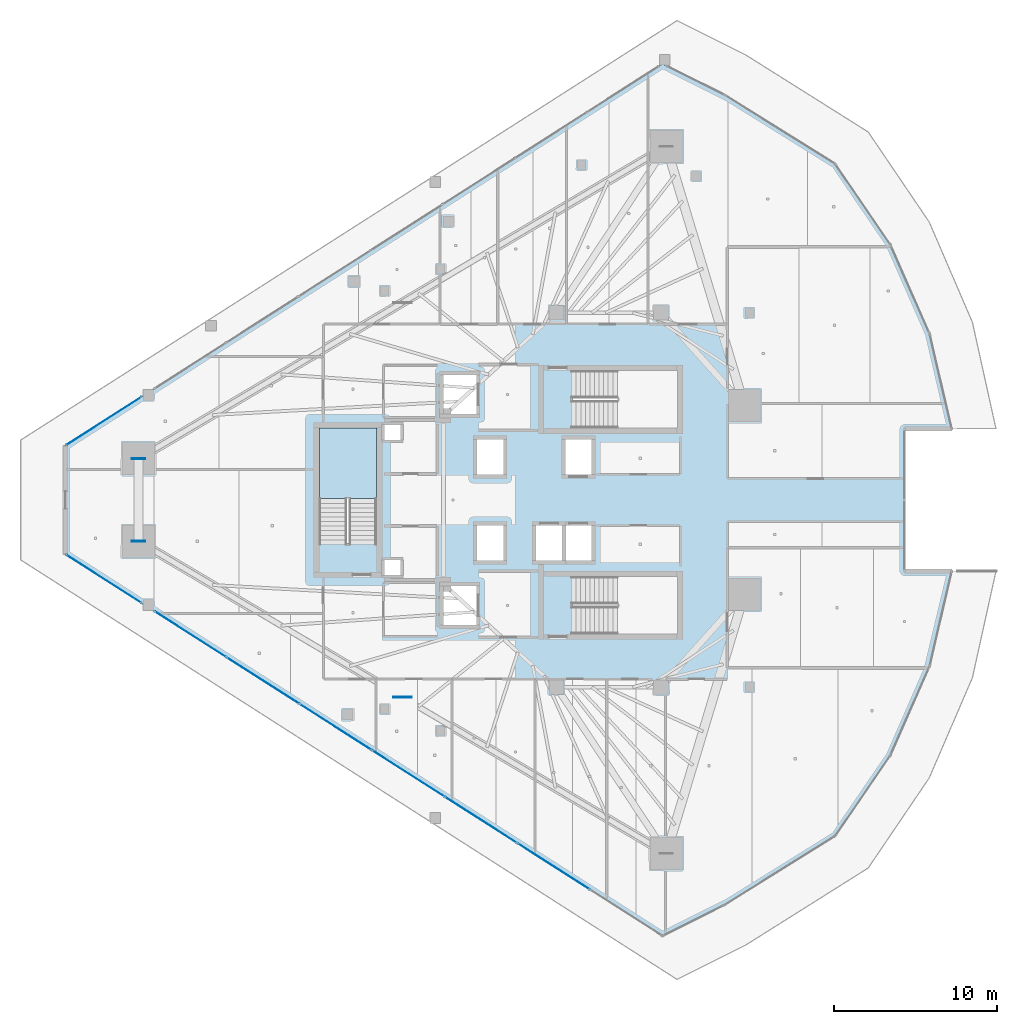
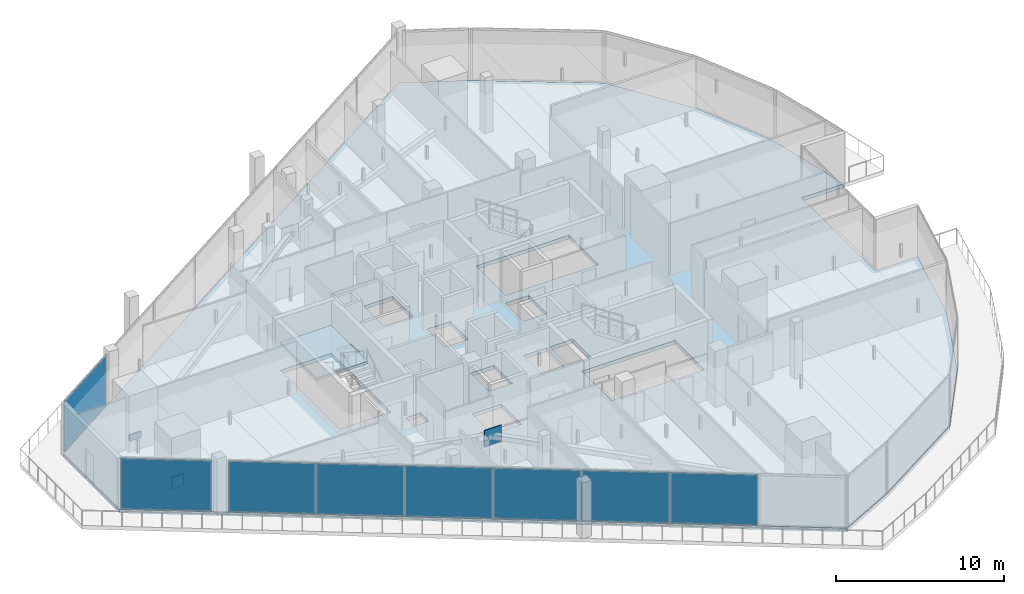
# One storey, part 28 of 43: 11 plates, 2 slabs, 4 elements without a shape of their own.
"""IFC4 building model written with IfcOpenShell, lengths in metres."""

from ifc_helpers import new_model, si_unit, direction, frame, origin, origin_2d, place, context, subcontext, project, spatial, polyline, rectangle, outline, extrude, material, layer, layer_set, type_object, element, aggregate, save


model = new_model("IFC4")

# Units and contexts
model_context = context("Model", 3, precision=1e-05, world=origin(), true_north=direction((0.0, 1.0)))
body_context = subcontext(model_context, "Body", "Model", "MODEL_VIEW")
ifc_project = project(units=[si_unit("LENGTHUNIT", "METRE"), si_unit("AREAUNIT", "SQUARE_METRE"), si_unit("VOLUMEUNIT", "CUBIC_METRE"), si_unit("PLANEANGLEUNIT", "RADIAN"), si_unit("MASSUNIT", "GRAM", prefix="KILO")], contexts=[model_context])

# Site, building, storey
site_placement = place(None, origin())
site = spatial("IfcSite", under=ifc_project, at=site_placement, CompositionType="ELEMENT")
building_placement = place(site_placement, origin())
building = spatial("IfcBuilding", under=site, at=building_placement, Name="Qorvath Tower", CompositionType="ELEMENT")
storey_placement = place(building_placement, frame((0.0, 0.0, 213.14990234375)))
storey = spatial("IfcBuildingStorey", under=building, at=storey_placement, Name="L49", CompositionType="ELEMENT", Elevation=213.14990234375)

# Curtain wall, plate
ifc_material_1 = material(Name="Anodised aluminium and triple low-E glass", Category="aluminium")
ifc_layer_1 = layer(ifc_material_1, 0.179931640625)
ifc_layer_set_1 = layer_set([ifc_layer_1], Name="CW-SYS-3")
curtain_wall_type = type_object("IfcCurtainWallType", Name="CW-SYS-3", PredefinedType="NOTDEFINED", material=ifc_layer_set_1)
curtain_wall_1_placement = place(storey_placement, origin())
curtain_wall_1 = element("IfcCurtainWall", 1, at=curtain_wall_1_placement, inside=storey, type_object=curtain_wall_type, Name="Curtain Wall CW-3 CW-T-L49-2.1", PredefinedType="NOTDEFINED")
ifc_material_2 = material(Name="Low-E triple insulated glass", Category="glass")
ifc_layer_2 = layer(ifc_material_2, 0.031982421875)
ifc_layer_set_2 = layer_set([ifc_layer_2], Name="CWP-GLZ-32")
plate_type_1 = type_object("IfcPlateType", Name="CWP-GLZ-32", PredefinedType="CURTAIN_PANEL", material=ifc_layer_set_2)
plate_1_placement = place(storey_placement, frame((-51.290771484375, -4.83203125, 0.06494140625), z_axis=(0.0, 0.0, 1.0), x_axis=(0.842602168326, -0.538536522375, 0.0)))
plate_1 = element("IfcPlate", 2, at=plate_1_placement, type_object=plate_type_1, Name="CW-3 panel 1.1", PredefinedType="CURTAIN_PANEL", context=body_context, shape_type="SweptSolid", body=[
    extrude(rectangle(XDim=5.429443359375, YDim=0.031982421875, at=origin_2d()), origin(), (0.0, 0.0, 1.0), 3.64990234375),
])
aggregate(curtain_wall_1, [plate_1])

# Curtain wall, plates
curtain_wall_2_placement = place(storey_placement, origin())
curtain_wall_2 = element("IfcCurtainWall", 3, at=curtain_wall_2_placement, inside=storey, type_object=curtain_wall_type, Name="Curtain Wall CW-3 CW-T-L49-2.2", PredefinedType="NOTDEFINED")
plate_2_placement = place(storey_placement, frame((-45.983642578125, -8.223876953125, 0.06494140625), z_axis=(0.0, 0.0, 1.0), x_axis=(0.842604708723, -0.538532547612, 0.0)))
plate_2 = element("IfcPlate", 4, at=plate_2_placement, type_object=plate_type_1, Name="CW-3 panel 1.1", PredefinedType="CURTAIN_PANEL", context=body_context, shape_type="SweptSolid", body=[
    extrude(rectangle(XDim=5.177490234375, YDim=0.031982421875, at=origin_2d()), origin(), (0.0, 0.0, 1.0), 3.64990234375),
])
plate_3_placement = place(storey_placement, frame((-41.552734375, -11.055908203125, 0.06494140625), z_axis=(0.0, 0.0, 1.0), x_axis=(0.842604708723, -0.538532547612, 0.0)))
plate_3 = element("IfcPlate", 5, at=plate_3_placement, type_object=plate_type_1, Name="CW-3 panel 2.1", PredefinedType="CURTAIN_PANEL", context=body_context, shape_type="SweptSolid", body=[
    extrude(rectangle(XDim=5.2099609375, YDim=0.031982421875, at=origin_2d()), origin(), (0.0, 0.0, 1.0), 3.64990234375),
])
plate_4_placement = place(storey_placement, frame((-37.10791015625, -13.896484375, 0.06494140625), z_axis=(0.0, 0.0, 1.0), x_axis=(0.842604708723, -0.538532547612, 0.0)))
plate_4 = element("IfcPlate", 6, at=plate_4_placement, type_object=plate_type_1, Name="CW-3 panel 3.1", PredefinedType="CURTAIN_PANEL", context=body_context, shape_type="SweptSolid", body=[
    extrude(rectangle(XDim=5.2099609375, YDim=0.031982421875, at=origin_2d()), origin(), (0.0, 0.0, 1.0), 3.64990234375),
])
plate_5_placement = place(storey_placement, frame((-32.6630859375, -16.7373046875, 0.06494140625), z_axis=(0.0, 0.0, 1.0), x_axis=(0.842604708723, -0.538532547612, 0.0)))
plate_5 = element("IfcPlate", 7, at=plate_5_placement, type_object=plate_type_1, Name="CW-3 panel 4.1", PredefinedType="CURTAIN_PANEL", context=body_context, shape_type="SweptSolid", body=[
    extrude(rectangle(XDim=5.2099609375, YDim=0.031982421875, at=origin_2d()), origin(), (0.0, 0.0, 1.0), 3.64990234375),
])
plate_6_placement = place(storey_placement, frame((-28.218505859375, -19.578125, 0.06494140625), z_axis=(0.0, 0.0, 1.0), x_axis=(0.842604708723, -0.538532547612, 0.0)))
plate_6 = element("IfcPlate", 8, at=plate_6_placement, type_object=plate_type_1, Name="CW-3 panel 5.1", PredefinedType="CURTAIN_PANEL", context=body_context, shape_type="SweptSolid", body=[
    extrude(rectangle(XDim=5.2099609375, YDim=0.031982421875, at=origin_2d()), origin(), (0.0, 0.0, 1.0), 3.64990234375),
])
plate_7_placement = place(storey_placement, frame((-23.773681640625, -22.418701171875, 0.06494140625), z_axis=(0.0, 0.0, 1.0), x_axis=(0.842604708723, -0.538532547612, 0.0)))
plate_7 = element("IfcPlate", 9, at=plate_7_placement, type_object=plate_type_1, Name="CW-3 panel 6.1", PredefinedType="CURTAIN_PANEL", context=body_context, shape_type="SweptSolid", body=[
    extrude(rectangle(XDim=5.2099609375, YDim=0.031982421875, at=origin_2d()), origin(), (0.0, 0.0, 1.0), 3.64990234375),
])
aggregate(curtain_wall_2, [plate_2, plate_3, plate_4, plate_5, plate_6, plate_7])

# Curtain wall, plate
curtain_wall_3_placement = place(storey_placement, origin())
curtain_wall_3 = element("IfcCurtainWall", 10, at=curtain_wall_3_placement, inside=storey, type_object=curtain_wall_type, Name="Curtain Wall CW-3 CW-T-L49-16.2", PredefinedType="NOTDEFINED")
plate_8_placement = place(storey_placement, frame((-51.290771484375, 4.83203125, 0.06494140625), z_axis=(0.0, 0.0, 1.0), x_axis=(-0.842602168326, -0.538536522375, 0.0)))
plate_8 = element("IfcPlate", 11, at=plate_8_placement, type_object=plate_type_1, Name="CW-3 panel 1.1", PredefinedType="CURTAIN_PANEL", context=body_context, shape_type="SweptSolid", body=[
    extrude(rectangle(XDim=5.429443359375, YDim=0.031982421875, at=origin_2d()), origin(), (0.0, 0.0, 1.0), 3.64990234375),
])
aggregate(curtain_wall_3, [plate_8])

# Plates
ifc_material_3 = material(Name="Steel ASTM A572 Grade 50", Category="steel")
ifc_layer_3 = layer(ifc_material_3, 0.054931640625)
ifc_layer_set_3 = layer_set([ifc_layer_3], Name="PL-MBN1")
plate_type_2 = type_object("IfcPlateType", Name="PL-MBN1", PredefinedType="USERDEFINED", material=ifc_layer_set_3)
plate_9_placement = place(storey_placement, frame((-33.021728515625, -12.077392578125, 2.830078125), z_axis=(0.0, 0.0, 1.0), x_axis=(1.0, 0.0, 0.0)))
element("IfcPlate", 12, at=plate_9_placement, inside=storey, type_object=plate_type_2, Name="Mega-Brace Chevron Apex Gusset L49-2", ObjectType="GUSSET", PredefinedType="USERDEFINED", context=body_context, shape_type="SweptSolid", body=[
    extrude(rectangle(XDim=1.14990234375, YDim=0.054931640625, at=origin_2d()), origin(), (0.0, 0.0, 1.0), 1.199951171875),
])
for number, where, z_axis, x_axis, name in (
    (13, (-49.171875, 2.52783203125, -0.425048828125), (0.0, 0.0, 1.0), (1.0, 0.0, 0.0), "Brace Strut End Gusset Plate NDBG-106"),
    (14, (-49.171875, -2.52783203125, -0.425048828125), (0.0, 0.0, 1.0), (1.0, 0.0, 0.0), "Brace Strut End Gusset Plate NDBG-107"),
):
    element("IfcPlate", number, at=place(storey_placement, frame(where, z_axis=z_axis, x_axis=x_axis)), inside=storey, type_object=plate_type_2, Name=name, ObjectType="GUSSET", PredefinedType="USERDEFINED", context=body_context, shape_type="SweptSolid", body=[
        extrude(rectangle(XDim=0.800048828125, YDim=0.054931640625, at=origin_2d()), origin(), (0.0, 0.0, 1.0), 0.85009765625),
    ])

# Stair, slab
ifc_material_4 = material(Name="Concrete C50/60", Category="concrete")
stair_type = type_object("IfcStairType", Name="ST-H405", PredefinedType="HALF_TURN_STAIR", material=ifc_material_4)
stair_placement = place(storey_placement, origin())
stair = element("IfcStair", 15, at=stair_placement, inside=storey, type_object=stair_type, Name="L49 Tower Exit Stair 3", PredefinedType="HALF_TURN_STAIR")
ifc_material_5 = material(Name="Concrete C50/60", Category="concrete")
ifc_layer_4 = layer(ifc_material_5, 0.199951171875)
ifc_layer_set_4 = layer_set([ifc_layer_4], Name="SL-LND-200")
slab_type_1 = type_object("IfcSlabType", Name="SL-LND-200", PredefinedType="LANDING", material=ifc_layer_set_4)
slab_1_placement = place(storey_placement, frame((0.0, 0.0, 1.8251953125)))
slab_1 = element("IfcSlab", 16, at=slab_1_placement, type_object=slab_type_1, Name="TS3 landing 1", PredefinedType="LANDING", context=body_context, shape_type="SweptSolid", body=[
    extrude(outline(polyline([(-34.60009765625, 0.080078125), (-34.60009765625, 4.39990234375), (-38.110107421875, 4.39990234375), (-38.110107421875, 0.080078125), (-34.60009765625, 0.080078125)])), origin(), (0.0, 0.0, 1.0), 0.199951171875),
])
aggregate(stair, [slab_1])

# Slab
ifc_material_6 = material(Name="Concrete C45/55", Category="concrete")
ifc_layer_5 = layer(ifc_material_6, 0.27001953125)
ifc_layer_set_5 = layer_set([ifc_layer_5], Name="SL-MID-270")
slab_type_2 = type_object("IfcSlabType", Name="SL-MID-270", PredefinedType="FLOOR", material=ifc_layer_set_5)
slab_2_placement = place(storey_placement, frame((0.0, 0.0, -0.27001953125)))
element("IfcSlab", 17, at=slab_2_placement, inside=storey, type_object=slab_type_2, Name="Tower L49 Interior Floor Slab", PredefinedType="FLOOR", context=body_context, shape_type="SweptSolid", body=[
    extrude(outline(polyline([(-53.6328125, 3.3349609375), (-53.6328125, -3.3349609375), (-17.106689453125, -26.679931640625), (-13.295166015625, -24.7744140625), (-6.530029296875, -20.556396484375), (-3.16064453125, -15.631591796875), (-0.75830078125, -10.16943359375), (0.59423828125, -4.35791015625), (-2.310791015625, -4.35791015625), (-2.310791015625, 4.35791015625), (0.59423828125, 4.35791015625), (-0.75830078125, 10.16943359375), (-3.16064453125, 15.631591796875), (-6.530029296875, 20.556396484375), (-13.295166015625, 24.7744140625), (-17.106689453125, 26.679931640625), (-53.6328125, 3.3349609375)]), holes=[polyline([(-16.2451171875, -8.199951171875), (-22.625, -8.199951171875), (-22.625, -4.68994140625), (-16.2451171875, -4.68994140625), (-16.2451171875, -8.199951171875)]), polyline([(-22.625, 4.39990234375), (-22.625, 7.909912109375), (-16.2451171875, 7.909912109375), (-16.2451171875, 4.39990234375), (-22.625, 4.39990234375)]), polyline([(-21.449951171875, -3.699951171875), (-23.050048828125, -3.699951171875), (-23.050048828125, -1.550048828125), (-21.449951171875, -1.550048828125), (-21.449951171875, -3.699951171875)]), polyline([(-23.050048828125, 1.550048828125), (-23.050048828125, 3.699951171875), (-21.449951171875, 3.699951171875), (-21.449951171875, 1.550048828125), (-23.050048828125, 1.550048828125)]), polyline([(-24.85009765625, -3.699951171875), (-24.85009765625, -1.550048828125), (-23.25, -1.550048828125), (-23.25, -3.699951171875), (-24.85009765625, -3.699951171875)]), polyline([(-28.449951171875, -3.699951171875), (-28.449951171875, -1.550048828125), (-26.85009765625, -1.550048828125), (-26.85009765625, -3.699951171875), (-28.449951171875, -3.699951171875)]), polyline([(-26.85009765625, 1.550048828125), (-28.449951171875, 1.550048828125), (-28.449951171875, 3.699951171875), (-26.85009765625, 3.699951171875), (-26.85009765625, 1.550048828125)]), polyline([(-28.5, -7.64990234375), (-30.5, -7.64990234375), (-30.5, -5.25), (-28.5, -5.25), (-28.5, -7.64990234375)]), polyline([(-30.5, 5.25), (-30.5, 7.64990234375), (-28.5, 7.64990234375), (-28.5, 5.25), (-30.5, 5.25)]), polyline([(-34.14990234375, -4.6201171875), (-34.14990234375, -3.64990234375), (-33.10009765625, -3.64990234375), (-33.10009765625, -4.6201171875), (-34.14990234375, -4.6201171875)]), polyline([(-34.14990234375, 3.64990234375), (-34.14990234375, 4.6201171875), (-33.10009765625, 4.6201171875), (-33.10009765625, 3.64990234375), (-34.14990234375, 3.64990234375)]), polyline([(-34.60009765625, -2.675048828125), (-38.110107421875, -2.675048828125), (-38.110107421875, 4.35498046875), (-34.60009765625, 4.35498046875), (-34.60009765625, -2.675048828125)])]), origin(), (0.0, 0.0, 1.0), 0.27001953125),
])

save(model, "model.ifc")
